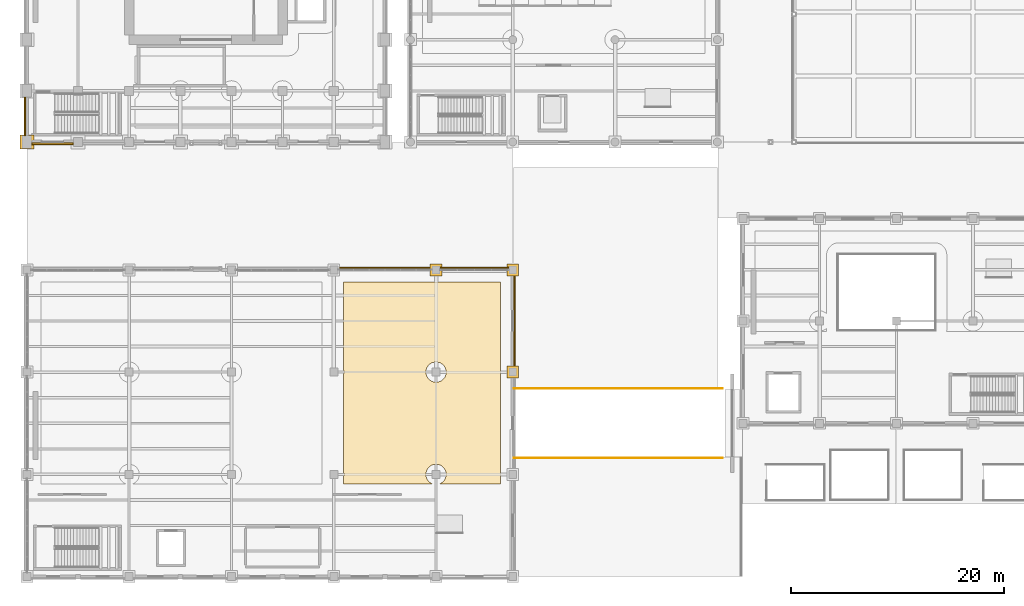
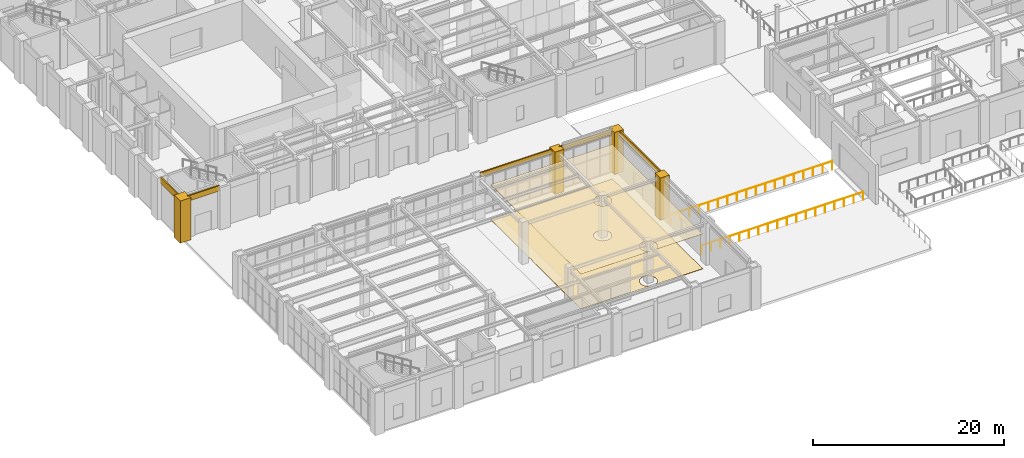
# One storey, part 142 of 164: 11 coverings, 2 railings.
"""IFC4 building model written with IfcOpenShell, lengths in metres."""

from ifc_helpers import new_model, si_unit, direction, frame, origin, origin_2d, place, context, subcontext, project, spatial, polyline, circle, outline, extrude, material, layer, layer_set, type_object, element, save


model = new_model("IFC4")

# Units and contexts
model_context = context("Model", 3, precision=1e-05, world=origin(), true_north=direction((0.0, 1.0)))
body_context = subcontext(model_context, "Body", "Model", "MODEL_VIEW")
ifc_project = project(units=[si_unit("LENGTHUNIT", "METRE"), si_unit("AREAUNIT", "SQUARE_METRE"), si_unit("VOLUMEUNIT", "CUBIC_METRE"), si_unit("PLANEANGLEUNIT", "RADIAN"), si_unit("MASSUNIT", "GRAM", prefix="KILO")], contexts=[model_context])

# Site, building, storey
site_placement = place(None, origin())
site = spatial("IfcSite", under=ifc_project, at=site_placement, CompositionType="ELEMENT")
building_placement = place(site_placement, origin())
building = spatial("IfcBuilding", under=site, at=building_placement, Name="Mavantir Sound Aquarium", CompositionType="ELEMENT")
storey_placement = place(building_placement, origin())
storey = spatial("IfcBuildingStorey", under=building, at=storey_placement, Name="L00", CompositionType="ELEMENT", Elevation=0.0)

# Coverings
ifc_material_1 = material(Name="Moisture-Resistant Acoustic Mineral Fibre Tile")
ifc_layer_1 = layer(ifc_material_1, 0.02490234375, Name="Moisture-Resistant Acoustic Mineral Fibre Tile")
ifc_layer_set_1 = layer_set([ifc_layer_1], Name="Moisture-Resistant Acoustic Mineral Fibre Tile")
covering_type_1 = type_object("IfcCoveringType", Name="COV-CEIL-AC", PredefinedType="CEILING", material=ifc_layer_set_1)
covering_1_placement = place(storey_placement, frame((0.0, 0.0, 4.4599609375)))
element("IfcCovering", 1, at=covering_1_placement, inside=storey, type_object=covering_type_1, Name="L00 Caribbean Marine Discovery Classroom Suite suspended acoustic ceiling", PredefinedType="CEILING", context=body_context, shape_type="SweptSolid", body=[
    extrude(outline(polyline([(44.4599609375, 27.659912109375), (44.4599609375, 8.699951171875), (38.701171875, 8.699951171875), (38.763427734375, 8.722412109375), (38.847900390625, 8.76220703125), (38.927734375, 8.81005859375), (39.002685546875, 8.865478515625), (39.07177734375, 8.92822265625), (39.134521484375, 8.997314453125), (39.18994140625, 9.072265625), (39.23779296875, 9.152099609375), (39.277587890625, 9.236572265625), (39.30908203125, 9.32421875), (39.331787109375, 9.414794921875), (39.345458984375, 9.5068359375), (39.35009765625, 9.60009765625), (39.345458984375, 9.693115234375), (39.331787109375, 9.785400390625), (39.30908203125, 9.875732421875), (39.277587890625, 9.96337890625), (39.23779296875, 10.0478515625), (39.18994140625, 10.127685546875), (39.134521484375, 10.20263671875), (39.07177734375, 10.271728515625), (39.002685546875, 10.33447265625), (38.927734375, 10.389892578125), (38.847900390625, 10.437744140625), (38.763427734375, 10.477783203125), (38.67578125, 10.509033203125), (38.585205078125, 10.53173828125), (38.4931640625, 10.54541015625), (38.39990234375, 10.550048828125), (38.306884765625, 10.54541015625), (38.214599609375, 10.53173828125), (38.124267578125, 10.509033203125), (38.03662109375, 10.477783203125), (37.9521484375, 10.437744140625), (37.872314453125, 10.389892578125), (37.79736328125, 10.33447265625), (37.728271484375, 10.271728515625), (37.66552734375, 10.20263671875), (37.610107421875, 10.127685546875), (37.562255859375, 10.0478515625), (37.522216796875, 9.96337890625), (37.490966796875, 9.875732421875), (37.46826171875, 9.785400390625), (37.45458984375, 9.693115234375), (37.449951171875, 9.60009765625), (37.45458984375, 9.5068359375), (37.46826171875, 9.414794921875), (37.490966796875, 9.32421875), (37.522216796875, 9.236572265625), (37.562255859375, 9.152099609375), (37.610107421875, 9.072265625), (37.66552734375, 8.997314453125), (37.728271484375, 8.92822265625), (37.79736328125, 8.865478515625), (37.872314453125, 8.81005859375), (37.9521484375, 8.76220703125), (38.03662109375, 8.722412109375), (38.098876953125, 8.699951171875), (29.699951171875, 8.699951171875), (29.699951171875, 9.298828125), (29.708984375, 9.32421875), (29.731689453125, 9.414794921875), (29.745361328125, 9.5068359375), (29.75, 9.60009765625), (29.745361328125, 9.693115234375), (29.731689453125, 9.785400390625), (29.708984375, 9.875732421875), (29.699951171875, 9.901123046875), (29.699951171875, 18.898681640625), (29.708984375, 18.92431640625), (29.731689453125, 19.0146484375), (29.745361328125, 19.10693359375), (29.75, 19.199951171875), (29.745361328125, 19.293212890625), (29.731689453125, 19.38525390625), (29.708984375, 19.475830078125), (29.699951171875, 19.501220703125), (29.699951171875, 27.659912109375), (44.4599609375, 27.659912109375)]), holes=[polyline([(39.134521484375, 18.597412109375), (39.18994140625, 18.672119140625), (39.23779296875, 18.752197265625), (39.277587890625, 18.83642578125), (39.30908203125, 18.92431640625), (39.331787109375, 19.0146484375), (39.345458984375, 19.10693359375), (39.35009765625, 19.199951171875), (39.345458984375, 19.293212890625), (39.331787109375, 19.38525390625), (39.30908203125, 19.475830078125), (39.277587890625, 19.5634765625), (39.23779296875, 19.647705078125), (39.18994140625, 19.727783203125), (39.134521484375, 19.802734375), (39.07177734375, 19.871826171875), (39.002685546875, 19.934326171875), (38.927734375, 19.989990234375), (38.847900390625, 20.037841796875), (38.763427734375, 20.07763671875), (38.67578125, 20.109130859375), (38.585205078125, 20.131591796875), (38.4931640625, 20.1455078125), (38.39990234375, 20.14990234375), (38.306884765625, 20.1455078125), (38.214599609375, 20.131591796875), (38.124267578125, 20.109130859375), (38.03662109375, 20.07763671875), (37.9521484375, 20.037841796875), (37.872314453125, 19.989990234375), (37.79736328125, 19.934326171875), (37.728271484375, 19.871826171875), (37.66552734375, 19.802734375), (37.610107421875, 19.727783203125), (37.562255859375, 19.647705078125), (37.522216796875, 19.5634765625), (37.490966796875, 19.475830078125), (37.46826171875, 19.38525390625), (37.45458984375, 19.293212890625), (37.449951171875, 19.199951171875), (37.45458984375, 19.10693359375), (37.46826171875, 19.0146484375), (37.490966796875, 18.92431640625), (37.522216796875, 18.83642578125), (37.562255859375, 18.752197265625), (37.610107421875, 18.672119140625), (37.66552734375, 18.597412109375), (37.728271484375, 18.5283203125), (37.79736328125, 18.465576171875), (37.872314453125, 18.41015625), (37.9521484375, 18.3623046875), (38.03662109375, 18.322265625), (38.124267578125, 18.291015625), (38.214599609375, 18.268310546875), (38.306884765625, 18.254638671875), (38.39990234375, 18.25), (38.4931640625, 18.254638671875), (38.585205078125, 18.268310546875), (38.67578125, 18.291015625), (38.763427734375, 18.322265625), (38.847900390625, 18.3623046875), (38.927734375, 18.41015625), (39.002685546875, 18.465576171875), (39.07177734375, 18.5283203125), (39.134521484375, 18.597412109375)])]), origin(), (0.0, 0.0, 1.0), 0.025146484375),
])
ifc_material_2 = material(Name="Honed Coral-Limestone & Glazed Terracotta Rainscreen Cladding", Category="masonry")
ifc_layer_2 = layer(ifc_material_2, 0.06005859375, Name="Honed Coral-Limestone & Glazed Terracotta Rainscreen Cladding")
ifc_layer_set_2 = layer_set([ifc_layer_2], Name="Honed Coral-Limestone & Glazed Terracotta Rainscreen Cladding")
covering_type_2 = type_object("IfcCoveringType", Name="COV-CLAD-TC", PredefinedType="CLADDING", material=ifc_layer_set_2)
covering_2_placement = place(storey_placement, frame((0.0, 0.0, 4.60791015625)))
element("IfcCovering", 2, at=covering_2_placement, inside=storey, type_object=covering_type_2, Name="L00 Postmodern coral-limestone spandrel frieze 23", PredefinedType="CLADDING", context=body_context, shape_type="SweptSolid", body=[
    extrude(outline(polyline([(-0.090087890625, 44.991943359375), (-0.090087890625, 41.407958984375), (-0.239990234375, 41.407958984375), (-0.239990234375, 44.991943359375), (-0.090087890625, 44.991943359375)])), origin(), (0.0, 0.0, 1.0), 0.7919921875),
])
covering_3_placement = place(storey_placement, frame((0.0, 0.0, 4.712890625)))
element("IfcCovering", 3, at=covering_3_placement, inside=storey, type_object=covering_type_2, Name="L00 Postmodern coral-limestone spandrel frieze 24", PredefinedType="CLADDING", context=body_context, shape_type="SweptSolid", body=[
    extrude(outline(polyline([(0.4580078125, 40.7099609375), (4.366943359375, 40.7099609375), (4.366943359375, 40.56005859375), (0.4580078125, 40.56005859375), (0.4580078125, 40.7099609375)])), origin(), (0.0, 0.0, 1.0), 0.68701171875),
])
covering_4_placement = place(storey_placement, frame((0.0, 0.0, 4.72802734375)))
element("IfcCovering", 4, at=covering_4_placement, inside=storey, type_object=covering_type_2, Name="L00 Postmodern coral-limestone spandrel frieze 46", PredefinedType="CLADDING", context=body_context, shape_type="SweptSolid", body=[
    extrude(outline(polyline([(45.68994140625, 19.5830078125), (45.68994140625, 28.4169921875), (45.840087890625, 28.4169921875), (45.840087890625, 19.5830078125), (45.68994140625, 19.5830078125)])), origin(), (0.0, 0.0, 1.0), 0.671875),
])
covering_5_placement = place(storey_placement, frame((0.0, 0.0, 4.72802734375)))
element("IfcCovering", 5, at=covering_5_placement, inside=storey, type_object=covering_type_2, Name="L00 Postmodern coral-limestone spandrel frieze 47", PredefinedType="CLADDING", context=body_context, shape_type="SweptSolid", body=[
    extrude(outline(polyline([(45.217041015625, 28.889892578125), (38.782958984375, 28.889892578125), (38.782958984375, 29.0400390625), (45.217041015625, 29.0400390625), (45.217041015625, 28.889892578125)])), origin(), (0.0, 0.0, 1.0), 0.671875),
])
covering_6_placement = place(storey_placement, frame((0.0, 0.0, 4.81298828125)))
element("IfcCovering", 6, at=covering_6_placement, inside=storey, type_object=covering_type_2, Name="L00 Postmodern coral-limestone spandrel frieze 48", PredefinedType="CLADDING", context=body_context, shape_type="SweptSolid", body=[
    extrude(outline(polyline([(38.01708984375, 28.889892578125), (29.18310546875, 28.889892578125), (29.18310546875, 29.0400390625), (38.01708984375, 29.0400390625), (38.01708984375, 28.889892578125)])), origin(), (0.0, 0.0, 1.0), 0.5869140625),
])
covering_7_placement = place(storey_placement, origin())
element("IfcCovering", 7, at=covering_7_placement, inside=storey, type_object=covering_type_2, Name="L00 Postmodern coral-limestone pilaster casing 1", PredefinedType="CLADDING", context=body_context, shape_type="SweptSolid", body=[
    extrude(outline(polyline([(-0.64990234375, 40.14990234375), (0.64990234375, 40.14990234375), (0.64990234375, 41.449951171875), (-0.64990234375, 41.449951171875), (-0.64990234375, 40.14990234375)])), origin(), (0.0, 0.0, 1.0), 5.39990234375),
])
covering_8_placement = place(storey_placement, origin())
element("IfcCovering", 8, at=covering_8_placement, inside=storey, type_object=covering_type_2, Name="L00 Postmodern coral-limestone pilaster casing 205", PredefinedType="CLADDING", context=body_context, shape_type="SweptSolid", body=[
    extrude(outline(polyline([(37.840087890625, 28.239990234375), (38.9599609375, 28.239990234375), (38.9599609375, 29.360107421875), (37.840087890625, 29.360107421875), (37.840087890625, 28.239990234375)])), origin(), (0.0, 0.0, 1.0), 5.39990234375),
])
covering_9_placement = place(storey_placement, origin())
element("IfcCovering", 9, at=covering_9_placement, inside=storey, type_object=covering_type_2, Name="L00 Postmodern coral-limestone pilaster casing 209", PredefinedType="CLADDING", context=body_context, shape_type="SweptSolid", body=[
    extrude(outline(polyline([(45.0400390625, 18.639892578125), (46.159912109375, 18.639892578125), (46.159912109375, 19.760009765625), (45.0400390625, 19.760009765625), (45.0400390625, 18.639892578125)])), origin(), (0.0, 0.0, 1.0), 5.39990234375),
])
covering_10_placement = place(storey_placement, origin())
element("IfcCovering", 10, at=covering_10_placement, inside=storey, type_object=covering_type_2, Name="L00 Postmodern coral-limestone pilaster casing 210", PredefinedType="CLADDING", context=body_context, shape_type="SweptSolid", body=[
    extrude(outline(polyline([(45.0400390625, 28.239990234375), (46.159912109375, 28.239990234375), (46.159912109375, 29.360107421875), (45.0400390625, 29.360107421875), (45.0400390625, 28.239990234375)])), origin(), (0.0, 0.0, 1.0), 5.39990234375),
])
ifc_material_3 = material(Name="Marine Epoxy Recycled-Shell Terrazzo Flooring")
ifc_layer_3 = layer(ifc_material_3, 0.030029296875, Name="Marine Epoxy Recycled-Shell Terrazzo Flooring")
ifc_layer_set_3 = layer_set([ifc_layer_3], Name="Marine Epoxy Recycled-Shell Terrazzo Flooring")
covering_type_3 = type_object("IfcCoveringType", Name="COV-FLR-TZ", PredefinedType="FLOORING", material=ifc_layer_set_3)
covering_11_placement = place(storey_placement, origin())
element("IfcCovering", 11, at=covering_11_placement, inside=storey, type_object=covering_type_3, Name="L00 Caribbean Marine Discovery Classroom Suite terrazzo flooring", PredefinedType="FLOORING", context=body_context, shape_type="SweptSolid", body=[
    extrude(outline(polyline([(44.4599609375, 27.659912109375), (44.4599609375, 8.699951171875), (38.701171875, 8.699951171875), (38.763427734375, 8.722412109375), (38.847900390625, 8.76220703125), (38.927734375, 8.81005859375), (39.002685546875, 8.865478515625), (39.07177734375, 8.92822265625), (39.134521484375, 8.997314453125), (39.18994140625, 9.072265625), (39.23779296875, 9.152099609375), (39.277587890625, 9.236572265625), (39.30908203125, 9.32421875), (39.331787109375, 9.414794921875), (39.345458984375, 9.5068359375), (39.35009765625, 9.60009765625), (39.345458984375, 9.693115234375), (39.331787109375, 9.785400390625), (39.30908203125, 9.875732421875), (39.277587890625, 9.96337890625), (39.23779296875, 10.0478515625), (39.18994140625, 10.127685546875), (39.134521484375, 10.20263671875), (39.07177734375, 10.271728515625), (39.002685546875, 10.33447265625), (38.927734375, 10.389892578125), (38.847900390625, 10.437744140625), (38.763427734375, 10.477783203125), (38.67578125, 10.509033203125), (38.585205078125, 10.53173828125), (38.4931640625, 10.54541015625), (38.39990234375, 10.550048828125), (38.306884765625, 10.54541015625), (38.214599609375, 10.53173828125), (38.124267578125, 10.509033203125), (38.03662109375, 10.477783203125), (37.9521484375, 10.437744140625), (37.872314453125, 10.389892578125), (37.79736328125, 10.33447265625), (37.728271484375, 10.271728515625), (37.66552734375, 10.20263671875), (37.610107421875, 10.127685546875), (37.562255859375, 10.0478515625), (37.522216796875, 9.96337890625), (37.490966796875, 9.875732421875), (37.46826171875, 9.785400390625), (37.45458984375, 9.693115234375), (37.449951171875, 9.60009765625), (37.45458984375, 9.5068359375), (37.46826171875, 9.414794921875), (37.490966796875, 9.32421875), (37.522216796875, 9.236572265625), (37.562255859375, 9.152099609375), (37.610107421875, 9.072265625), (37.66552734375, 8.997314453125), (37.728271484375, 8.92822265625), (37.79736328125, 8.865478515625), (37.872314453125, 8.81005859375), (37.9521484375, 8.76220703125), (38.03662109375, 8.722412109375), (38.098876953125, 8.699951171875), (29.699951171875, 8.699951171875), (29.699951171875, 9.298828125), (29.708984375, 9.32421875), (29.731689453125, 9.414794921875), (29.745361328125, 9.5068359375), (29.75, 9.60009765625), (29.745361328125, 9.693115234375), (29.731689453125, 9.785400390625), (29.708984375, 9.875732421875), (29.699951171875, 9.901123046875), (29.699951171875, 18.898681640625), (29.708984375, 18.92431640625), (29.731689453125, 19.0146484375), (29.745361328125, 19.10693359375), (29.75, 19.199951171875), (29.745361328125, 19.293212890625), (29.731689453125, 19.38525390625), (29.708984375, 19.475830078125), (29.699951171875, 19.501220703125), (29.699951171875, 27.659912109375), (44.4599609375, 27.659912109375)]), holes=[polyline([(39.134521484375, 18.597412109375), (39.18994140625, 18.672119140625), (39.23779296875, 18.752197265625), (39.277587890625, 18.83642578125), (39.30908203125, 18.92431640625), (39.331787109375, 19.0146484375), (39.345458984375, 19.10693359375), (39.35009765625, 19.199951171875), (39.345458984375, 19.293212890625), (39.331787109375, 19.38525390625), (39.30908203125, 19.475830078125), (39.277587890625, 19.5634765625), (39.23779296875, 19.647705078125), (39.18994140625, 19.727783203125), (39.134521484375, 19.802734375), (39.07177734375, 19.871826171875), (39.002685546875, 19.934326171875), (38.927734375, 19.989990234375), (38.847900390625, 20.037841796875), (38.763427734375, 20.07763671875), (38.67578125, 20.109130859375), (38.585205078125, 20.131591796875), (38.4931640625, 20.1455078125), (38.39990234375, 20.14990234375), (38.306884765625, 20.1455078125), (38.214599609375, 20.131591796875), (38.124267578125, 20.109130859375), (38.03662109375, 20.07763671875), (37.9521484375, 20.037841796875), (37.872314453125, 19.989990234375), (37.79736328125, 19.934326171875), (37.728271484375, 19.871826171875), (37.66552734375, 19.802734375), (37.610107421875, 19.727783203125), (37.562255859375, 19.647705078125), (37.522216796875, 19.5634765625), (37.490966796875, 19.475830078125), (37.46826171875, 19.38525390625), (37.45458984375, 19.293212890625), (37.449951171875, 19.199951171875), (37.45458984375, 19.10693359375), (37.46826171875, 19.0146484375), (37.490966796875, 18.92431640625), (37.522216796875, 18.83642578125), (37.562255859375, 18.752197265625), (37.610107421875, 18.672119140625), (37.66552734375, 18.597412109375), (37.728271484375, 18.5283203125), (37.79736328125, 18.465576171875), (37.872314453125, 18.41015625), (37.9521484375, 18.3623046875), (38.03662109375, 18.322265625), (38.124267578125, 18.291015625), (38.214599609375, 18.268310546875), (38.306884765625, 18.254638671875), (38.39990234375, 18.25), (38.4931640625, 18.254638671875), (38.585205078125, 18.268310546875), (38.67578125, 18.291015625), (38.763427734375, 18.322265625), (38.847900390625, 18.3623046875), (38.927734375, 18.41015625), (39.002685546875, 18.465576171875), (39.07177734375, 18.5283203125), (39.134521484375, 18.597412109375)])]), origin(), (0.0, 0.0, 1.0), 0.030029296875),
])

# Railings
ifc_material_4 = material(Name="Stainless Steel 316 and Laminated Glass Guardrail", Category="steel")
railing_type = type_object("IfcRailingType", Name="RL-GUARD-110", PredefinedType="GUARDRAIL", material=ifc_material_4)
railing_1_placement = place(storey_placement, frame((45.699951171875, 11.14990234375, 0.0)))
element("IfcRailing", 12, at=railing_1_placement, inside=storey, type_object=railing_type, Name="L00 vehicle ramp well S guardrail", PredefinedType="GUARDRAIL", context=body_context, shape_type="SweptSolid", body=[
    extrude(circle(Radius=0.02392578125, at=origin_2d()), frame((0.0, 0.0, 1.076171875), z_axis=(1.0, 0.0, 0.0), x_axis=(0.0, 1.0, 0.0)), (0.0, 0.0, 1.0), 19.60009765625),
    extrude(circle(Radius=0.02099609375, at=origin_2d()), origin(), (0.0, 0.0, 1.0), 1.052001953125),
    extrude(circle(Radius=0.02099609375, at=origin_2d()), frame((1.15283203125, 0.0, 0.0)), (0.0, 0.0, 1.0), 1.052001953125),
    extrude(circle(Radius=0.02099609375, at=origin_2d()), frame((2.305908203125, 0.0, 0.0)), (0.0, 0.0, 1.0), 1.052001953125),
    extrude(circle(Radius=0.02099609375, at=origin_2d()), frame((3.458740234375, 0.0, 0.0)), (0.0, 0.0, 1.0), 1.052001953125),
    extrude(circle(Radius=0.02099609375, at=origin_2d()), frame((4.61181640625, 0.0, 0.0)), (0.0, 0.0, 1.0), 1.052001953125),
    extrude(circle(Radius=0.02099609375, at=origin_2d()), frame((5.7646484375, 0.0, 0.0)), (0.0, 0.0, 1.0), 1.052001953125),
    extrude(circle(Radius=0.02099609375, at=origin_2d()), frame((6.917724609375, 0.0, 0.0)), (0.0, 0.0, 1.0), 1.052001953125),
    extrude(circle(Radius=0.02099609375, at=origin_2d()), frame((8.070556640625, 0.0, 0.0)), (0.0, 0.0, 1.0), 1.052001953125),
    extrude(circle(Radius=0.02099609375, at=origin_2d()), frame((9.2236328125, 0.0, 0.0)), (0.0, 0.0, 1.0), 1.052001953125),
    extrude(circle(Radius=0.02099609375, at=origin_2d()), frame((10.37646484375, 0.0, 0.0)), (0.0, 0.0, 1.0), 1.052001953125),
    extrude(circle(Radius=0.02099609375, at=origin_2d()), frame((11.529541015625, 0.0, 0.0)), (0.0, 0.0, 1.0), 1.052001953125),
    extrude(circle(Radius=0.02099609375, at=origin_2d()), frame((12.682373046875, 0.0, 0.0)), (0.0, 0.0, 1.0), 1.052001953125),
    extrude(circle(Radius=0.02099609375, at=origin_2d()), frame((13.83544921875, 0.0, 0.0)), (0.0, 0.0, 1.0), 1.052001953125),
    extrude(circle(Radius=0.02099609375, at=origin_2d()), frame((14.98828125, 0.0, 0.0)), (0.0, 0.0, 1.0), 1.052001953125),
    extrude(circle(Radius=0.02099609375, at=origin_2d()), frame((16.141357421875, 0.0, 0.0)), (0.0, 0.0, 1.0), 1.052001953125),
    extrude(circle(Radius=0.02099609375, at=origin_2d()), frame((17.294189453125, 0.0, 0.0)), (0.0, 0.0, 1.0), 1.052001953125),
    extrude(circle(Radius=0.02099609375, at=origin_2d()), frame((18.447265625, 0.0, 0.0)), (0.0, 0.0, 1.0), 1.052001953125),
    extrude(circle(Radius=0.02099609375, at=origin_2d()), frame((19.60009765625, 0.0, 0.0)), (0.0, 0.0, 1.0), 1.052001953125),
])
railing_2_placement = place(storey_placement, frame((45.699951171875, 17.64990234375, 0.0)))
element("IfcRailing", 13, at=railing_2_placement, inside=storey, type_object=railing_type, Name="L00 vehicle ramp well N guardrail", PredefinedType="GUARDRAIL", context=body_context, shape_type="SweptSolid", body=[
    extrude(circle(Radius=0.02392578125, at=origin_2d()), frame((0.0, 0.0, 1.076171875), z_axis=(1.0, 0.0, 0.0), x_axis=(0.0, 1.0, 0.0)), (0.0, 0.0, 1.0), 19.60009765625),
    extrude(circle(Radius=0.02099609375, at=origin_2d()), origin(), (0.0, 0.0, 1.0), 1.052001953125),
    extrude(circle(Radius=0.02099609375, at=origin_2d()), frame((1.15283203125, 0.0, 0.0)), (0.0, 0.0, 1.0), 1.052001953125),
    extrude(circle(Radius=0.02099609375, at=origin_2d()), frame((2.305908203125, 0.0, 0.0)), (0.0, 0.0, 1.0), 1.052001953125),
    extrude(circle(Radius=0.02099609375, at=origin_2d()), frame((3.458740234375, 0.0, 0.0)), (0.0, 0.0, 1.0), 1.052001953125),
    extrude(circle(Radius=0.02099609375, at=origin_2d()), frame((4.61181640625, 0.0, 0.0)), (0.0, 0.0, 1.0), 1.052001953125),
    extrude(circle(Radius=0.02099609375, at=origin_2d()), frame((5.7646484375, 0.0, 0.0)), (0.0, 0.0, 1.0), 1.052001953125),
    extrude(circle(Radius=0.02099609375, at=origin_2d()), frame((6.917724609375, 0.0, 0.0)), (0.0, 0.0, 1.0), 1.052001953125),
    extrude(circle(Radius=0.02099609375, at=origin_2d()), frame((8.070556640625, 0.0, 0.0)), (0.0, 0.0, 1.0), 1.052001953125),
    extrude(circle(Radius=0.02099609375, at=origin_2d()), frame((9.2236328125, 0.0, 0.0)), (0.0, 0.0, 1.0), 1.052001953125),
    extrude(circle(Radius=0.02099609375, at=origin_2d()), frame((10.37646484375, 0.0, 0.0)), (0.0, 0.0, 1.0), 1.052001953125),
    extrude(circle(Radius=0.02099609375, at=origin_2d()), frame((11.529541015625, 0.0, 0.0)), (0.0, 0.0, 1.0), 1.052001953125),
    extrude(circle(Radius=0.02099609375, at=origin_2d()), frame((12.682373046875, 0.0, 0.0)), (0.0, 0.0, 1.0), 1.052001953125),
    extrude(circle(Radius=0.02099609375, at=origin_2d()), frame((13.83544921875, 0.0, 0.0)), (0.0, 0.0, 1.0), 1.052001953125),
    extrude(circle(Radius=0.02099609375, at=origin_2d()), frame((14.98828125, 0.0, 0.0)), (0.0, 0.0, 1.0), 1.052001953125),
    extrude(circle(Radius=0.02099609375, at=origin_2d()), frame((16.141357421875, 0.0, 0.0)), (0.0, 0.0, 1.0), 1.052001953125),
    extrude(circle(Radius=0.02099609375, at=origin_2d()), frame((17.294189453125, 0.0, 0.0)), (0.0, 0.0, 1.0), 1.052001953125),
    extrude(circle(Radius=0.02099609375, at=origin_2d()), frame((18.447265625, 0.0, 0.0)), (0.0, 0.0, 1.0), 1.052001953125),
    extrude(circle(Radius=0.02099609375, at=origin_2d()), frame((19.60009765625, 0.0, 0.0)), (0.0, 0.0, 1.0), 1.052001953125),
])

save(model, "model.ifc")
